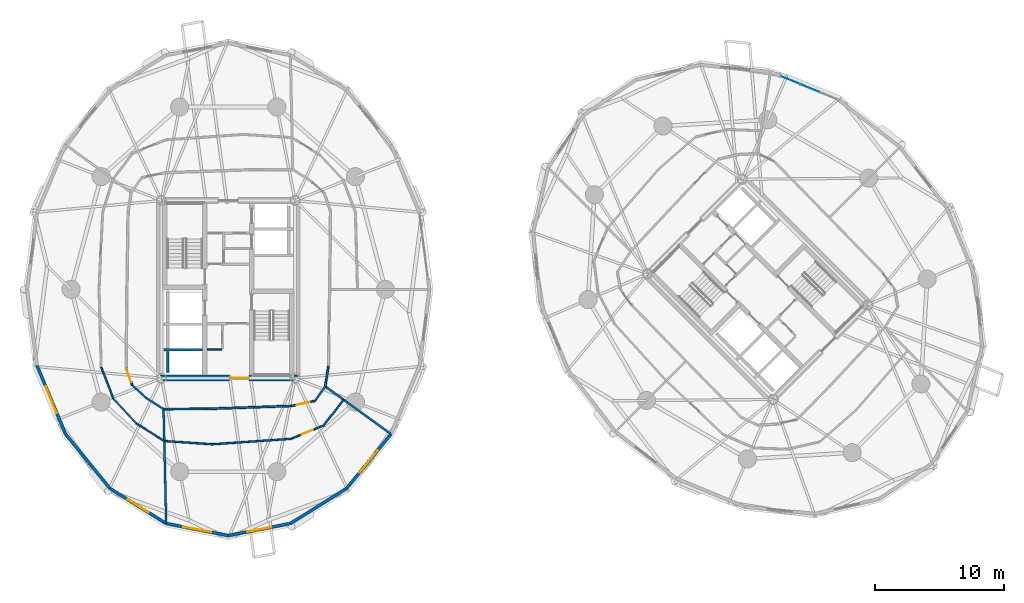
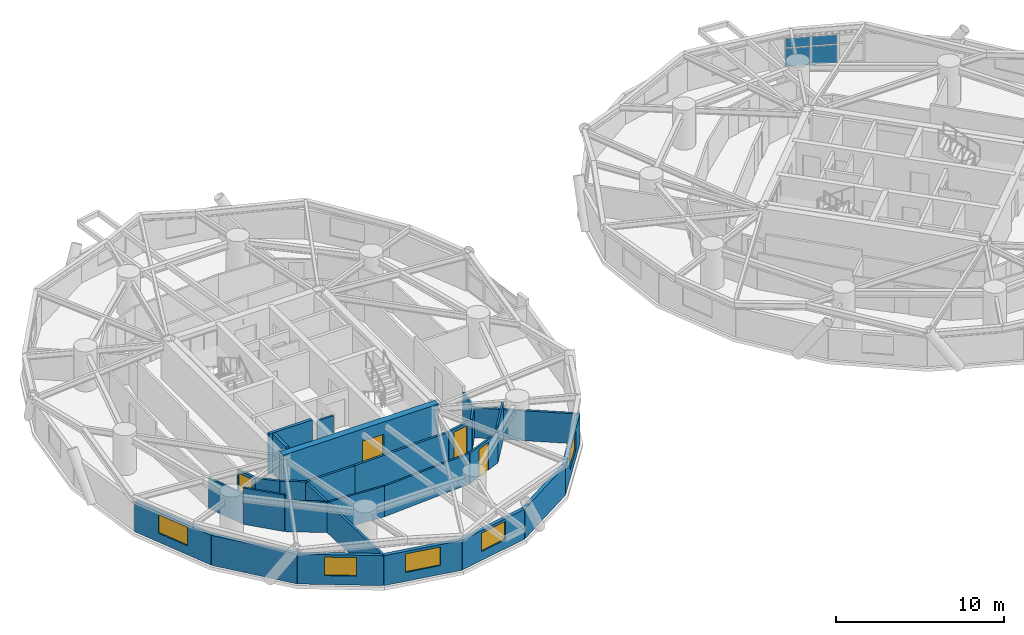
# One storey, part 9 of 17: 28 walls, 5 windows, 4 doors, 4 plates, 9 openings, 1 element without a shape of its own.
"""IFC4 building model written with IfcOpenShell, lengths in metres."""

from ifc_helpers import new_model, si_unit, direction, frame, frame_2d, origin, origin_2d, place, context, subcontext, project, spatial, rectangle, extrude, source, transform, mapped, material, layer, layer_set, type_object, element, fill, aggregate, save


model = new_model("IFC4")

# Units and contexts
model_context = context("Model", 3, precision=1e-05, world=origin(), true_north=direction((0.0, 1.0)))
body_context = subcontext(model_context, "Body", "Model", "MODEL_VIEW")
ifc_project = project(units=[si_unit("LENGTHUNIT", "METRE"), si_unit("AREAUNIT", "SQUARE_METRE"), si_unit("VOLUMEUNIT", "CUBIC_METRE"), si_unit("PLANEANGLEUNIT", "RADIAN"), si_unit("MASSUNIT", "GRAM", prefix="KILO")], contexts=[model_context])

# Site, building, storey
site_placement = place(None, origin())
site = spatial("IfcSite", under=ifc_project, at=site_placement, CompositionType="ELEMENT")
building_placement = place(site_placement, origin())
building = spatial("IfcBuilding", under=site, at=building_placement, Name="Cununo Teusaquillo Station Towers", CompositionType="ELEMENT")
storey_placement = place(building_placement, frame((0.0, 0.0, 90.52001953125)))
storey = spatial("IfcBuildingStorey", under=building, at=storey_placement, Name="L28", CompositionType="ELEMENT", Elevation=90.52001953125)

# Curtain wall, plates
ifc_material_1 = material(Name="Ceramic-fritted dark low-E double glazing", Category="glass")
ifc_layer_1 = layer(ifc_material_1, 0.179931640625)
ifc_layer_set_1 = layer_set([ifc_layer_1], Name="Ceramic-fritted dark low-E double glazing")
curtain_wall_type = type_object("IfcCurtainWallType", Name="CW-SYS-04", PredefinedType="USERDEFINED", material=ifc_layer_set_1)
curtain_wall_placement = place(storey_placement, origin())
curtain_wall = element("IfcCurtainWall", 1, at=curtain_wall_placement, inside=storey, type_object=curtain_wall_type, Name="L28 Tower B Facade Curtain Wall C01", ObjectType="FRITTED GLAZING", PredefinedType="USERDEFINED")
ifc_material_2 = material(Name="Ceramic-fritted dark low-E double glazing", Category="glass")
ifc_layer_2 = layer(ifc_material_2, 0.028076171875)
ifc_layer_set_2 = layer_set([ifc_layer_2], Name="Ceramic-fritted dark low-E double glazing")
plate_type = type_object("IfcPlateType", Name="CWP-FRIT-28", PredefinedType="CURTAIN_PANEL", material=ifc_layer_set_2)
shared_shape_1 = source(origin(), body_context, "Body", "SweptSolid", [
    extrude(rectangle(XDim=1.531005859375, YDim=0.028076171875, at=origin_2d()), origin(), (0.0, 0.0, 1.0), 1.31103515625),
])
plate_1_placement = place(storey_placement, frame((60.045654296875, 40.697021484375, 0.070068359375), z_axis=(0.0, 0.0, 1.0), x_axis=(0.924562443652, -0.381030560176, 0.0)))
plate_1 = element("IfcPlate", 2, at=plate_1_placement, type_object=plate_type, Name="CW-04 panel 1.1", PredefinedType="CURTAIN_PANEL", context=body_context, shape_type="MappedRepresentation", body=[
    mapped(shared_shape_1, transform((0.0, 0.0, 0.0), x_axis=(1.0, 0.0, 0.0), y_axis=(0.0, 1.0, 0.0), z_axis=(0.0, 0.0, 1.0), scale=1.0)),
])
shared_shape_2 = source(origin(), body_context, "Body", "SweptSolid", [
    extrude(rectangle(XDim=1.531005859375, YDim=0.028076171875, at=origin_2d()), origin(), (0.0, 0.0, 1.0), 0.657958984375),
])
plate_2_placement = place(storey_placement, frame((60.045654296875, 40.697021484375, 1.451171875), z_axis=(0.0, 0.0, 1.0), x_axis=(0.924562443652, -0.381030560176, 0.0)))
plate_2 = element("IfcPlate", 3, at=plate_2_placement, type_object=plate_type, Name="CW-04 panel 1.2", PredefinedType="CURTAIN_PANEL", context=body_context, shape_type="MappedRepresentation", body=[
    mapped(shared_shape_2, transform((0.0, 0.0, 0.0), x_axis=(1.0, 0.0, 0.0), y_axis=(0.0, 1.0, 0.0), z_axis=(0.0, 0.0, 1.0), scale=1.0)),
])
shared_shape_3 = source(origin(), body_context, "Body", "SweptSolid", [
    extrude(rectangle(XDim=1.566162109375, YDim=0.028076171875, at=origin_2d()), origin(), (0.0, 0.0, 1.0), 1.31103515625),
])
plate_3_placement = place(storey_placement, frame((61.542236328125, 40.080322265625, 0.070068359375), z_axis=(0.0, 0.0, 1.0), x_axis=(0.924562443652, -0.381030560176, 0.0)))
plate_3 = element("IfcPlate", 4, at=plate_3_placement, type_object=plate_type, Name="CW-04 panel 2.1", PredefinedType="CURTAIN_PANEL", context=body_context, shape_type="MappedRepresentation", body=[
    mapped(shared_shape_3, transform((0.0, 0.0, 0.0), x_axis=(1.0, 0.0, 0.0), y_axis=(0.0, 1.0, 0.0), z_axis=(0.0, 0.0, 1.0), scale=1.0)),
])
shared_shape_4 = source(origin(), body_context, "Body", "SweptSolid", [
    extrude(rectangle(XDim=1.566162109375, YDim=0.028076171875, at=origin_2d()), origin(), (0.0, 0.0, 1.0), 0.657958984375),
])
plate_4_placement = place(storey_placement, frame((61.542236328125, 40.080322265625, 1.451171875), z_axis=(0.0, 0.0, 1.0), x_axis=(0.924562443652, -0.381030560176, 0.0)))
plate_4 = element("IfcPlate", 5, at=plate_4_placement, type_object=plate_type, Name="CW-04 panel 2.2", PredefinedType="CURTAIN_PANEL", context=body_context, shape_type="MappedRepresentation", body=[
    mapped(shared_shape_4, transform((0.0, 0.0, 0.0), x_axis=(1.0, 0.0, 0.0), y_axis=(0.0, 1.0, 0.0), z_axis=(0.0, 0.0, 1.0), scale=1.0)),
])
aggregate(curtain_wall, [plate_1, plate_2, plate_3, plate_4])

# Walls
ifc_material_3 = material(Name="Concrete C50/60", Category="concrete")
ifc_layer_3 = layer(ifc_material_3, 0.199951171875)
ifc_layer_set_3 = layer_set([ifc_layer_3], Name="Concrete C50/60")
wall_type_1 = type_object("IfcWallType", Name="WL-CORE-200", PredefinedType="SHEAR", material=ifc_layer_set_3)
wall_1_placement = place(storey_placement, frame((11.52001953125, 19.824951171875, 0.0), z_axis=(0.0, 0.0, 1.0), x_axis=(1.0, 0.0, 0.0)))
element("IfcWall", 6, at=wall_1_placement, inside=storey, type_object=wall_type_1, Name="L28 Tower A High-Rise Lift Hoistway Divider Shear Wall", PredefinedType="SHEAR", context=body_context, shape_type="SweptSolid", body=[
    extrude(rectangle(XDim=2.969970703125, YDim=0.199951171875, at=frame_2d((1.48486328125, 0.0))), origin(), (0.0, 0.0, 1.0), 2.909912109375),
])
wall_2_placement = place(storey_placement, frame((11.820068359375, 18.070068359375, 0.0), z_axis=(0.0, 0.0, 1.0), x_axis=(0.0, 1.0, 0.0)))
element("IfcWall", 7, at=wall_2_placement, inside=storey, type_object=wall_type_1, Name="L28 Tower A High-Rise Lift 1 Shaft Rear Shear Wall", PredefinedType="SHEAR", context=body_context, shape_type="SweptSolid", body=[
    extrude(rectangle(XDim=1.635009765625, YDim=0.199951171875, at=frame_2d((0.8173828125, 0.0))), origin(), (0.0, 0.0, 1.0), 2.909912109375),
])

# Wall, opening, door
ifc_material_4 = material(Name="Concrete C60/75", Category="concrete")
ifc_layer_4 = layer(ifc_material_4, 0.449951171875)
ifc_layer_set_4 = layer_set([ifc_layer_4], Name="Concrete C60/75")
wall_type_2 = type_object("IfcWallType", Name="WL-CORE-450", PredefinedType="SHEAR", material=ifc_layer_set_4)
wall_3_placement = place(storey_placement, frame((11.14990234375, 17.625, 0.0), z_axis=(0.0, 0.0, 1.0), x_axis=(1.0, 0.0, 0.0)))
wall_3 = element("IfcWall", 8, at=wall_3_placement, inside=storey, type_object=wall_type_2, Name="L28 Tower A Core Shear Wall S", PredefinedType="SHEAR", context=body_context, shape_type="SweptSolid", body=[
    extrude(rectangle(XDim=10.7001953125, YDim=0.449951171875, at=frame_2d((5.35009765625, 0.0))), origin(), (0.0, 0.0, 1.0), 2.909912109375),
])
shared_shape_5 = source(origin(), body_context, "Body", "SweptSolid", [
    extrude(rectangle(XDim=1.5, YDim=2.02001953125, at=frame_2d((0.75, 1.010009765625))), frame((0.0, 0.23486328125, 0.0), z_axis=(0.0, -1.0, 0.0), x_axis=(1.0, 0.0, 0.0)), (0.0, 0.0, 1.0), 0.469970703125),
])
opening_1_placement = place(wall_3_placement, frame((5.449951171875, 0.0, 0.0)))
opening_1 = element("IfcOpeningElement", 9, at=opening_1_placement, cuts=wall_3, Name="Opening D-LB1", PredefinedType="OPENING", context=body_context, shape_type="MappedRepresentation", body=[
    mapped(shared_shape_5, transform((0.0, 0.0, 0.0), x_axis=(1.0, 0.0, 0.0), y_axis=(0.0, 1.0, 0.0), z_axis=(0.0, 0.0, 1.0), scale=1.0)),
])
ifc_material_5 = material(Name="Galvanised fire-rated hollow steel door assembly", Category="steel")
door_type_1 = type_object("IfcDoorType", Name="DR-LOBBY-1500", OperationType="DOUBLE_DOOR_SINGLE_SWING", PredefinedType="DOOR", material=ifc_material_5)
shared_shape_6 = source(origin(), body_context, "Body", "SweptSolid", [
    extrude(rectangle(XDim=1.5, YDim=2.02001953125, at=frame_2d((0.75, 1.010009765625))), frame((0.0, 0.02490234375, 0.0), z_axis=(0.0, -1.0, 0.0), x_axis=(1.0, 0.0, 0.0)), (0.0, 0.0, 1.0), 0.050048828125),
])
door_1_placement = place(opening_1_placement, origin())
door_1 = element("IfcDoor", 10, at=door_1_placement, inside=storey, type_object=door_type_1, Name="L28 Tower A South Core Lift Lobby Door", OperationType="DOUBLE_DOOR_SINGLE_SWING", OverallHeight=2.02001953125, OverallWidth=1.5, PredefinedType="DOOR", context=body_context, shape_type="MappedRepresentation", body=[
    mapped(shared_shape_6, transform((0.0, 0.0, 0.0), x_axis=(1.0, 0.0, 0.0), y_axis=(0.0, 1.0, 0.0), z_axis=(0.0, 0.0, 1.0), scale=1.0)),
])
fill(opening_1, door_1)

# Wall, opening, window
ifc_material_6 = material(Name="Precast concrete C40/50", Category="concrete")
ifc_layer_5 = layer(ifc_material_6, 0.239990234375)
ifc_layer_set_5 = layer_set([ifc_layer_5], Name="Precast concrete C40/50")
wall_type_3 = type_object("IfcWallType", Name="WL-EXT-240", PredefinedType="SOLIDWALL", material=ifc_layer_set_5)
wall_4_placement = place(storey_placement, frame((3.894775390625, 13.291015625, 0.0), z_axis=(0.0, 0.0, 1.0), x_axis=(-0.384344417632, 0.923189779317, 0.0)))
wall_4 = element("IfcWall", 11, at=wall_4_placement, inside=storey, type_object=wall_type_3, Name="L28 Tower A Exterior Facade Wall C11", PredefinedType="SOLIDWALL", context=body_context, shape_type="SweptSolid", body=[
    extrude(rectangle(XDim=5.75830078125, YDim=0.239990234375, at=frame_2d((2.879150390625, 0.0))), origin(), (0.0, 0.0, 1.0), 2.178955078125),
])
shared_shape_7 = source(origin(), body_context, "Body", "SweptSolid", [
    extrude(rectangle(XDim=2.199951171875, YDim=1.35009765625, at=frame_2d((1.10009765625, 0.675048828125))), frame((0.0, 0.1298828125, 0.0), z_axis=(0.0, -1.0, 0.0), x_axis=(1.0, 0.0, 0.0)), (0.0, 0.0, 1.0), 0.260009765625),
])
opening_2_placement = place(wall_4_placement, frame((1.779052734375, 0.0, 0.64990234375)))
opening_2 = element("IfcOpeningElement", 12, at=opening_2_placement, cuts=wall_4, Name="Opening WN-01", PredefinedType="OPENING", context=body_context, shape_type="MappedRepresentation", body=[
    mapped(shared_shape_7, transform((0.0, 0.0, 0.0), x_axis=(1.0, 0.0, 0.0), y_axis=(0.0, 1.0, 0.0), z_axis=(0.0, 0.0, 1.0), scale=1.0)),
])
ifc_material_7 = material(Name="Ceramic-fritted dark low-E double glazing", Category="glass")
window_type_1 = type_object("IfcWindowType", Name="WIN-FRIT-2200", PartitioningType="DOUBLE_PANEL_VERTICAL", PredefinedType="WINDOW", material=ifc_material_7)
shared_shape_8 = source(origin(), body_context, "Body", "SweptSolid", [
    extrude(rectangle(XDim=2.199951171875, YDim=1.35009765625, at=frame_2d((1.10009765625, 0.675048828125))), frame((0.0, 0.030029296875, 0.0), z_axis=(0.0, -1.0, 0.0), x_axis=(1.0, 0.0, 0.0)), (0.0, 0.0, 1.0), 0.06005859375),
])
window_1_placement = place(opening_2_placement, origin())
window_1 = element("IfcWindow", 13, at=window_1_placement, inside=storey, type_object=window_type_1, Name="L28 Tower A Facade Window C11", OverallHeight=1.35009765625, OverallWidth=2.199951171875, PartitioningType="DOUBLE_PANEL_VERTICAL", PredefinedType="WINDOW", context=body_context, shape_type="MappedRepresentation", body=[
    mapped(shared_shape_8, transform((0.0, 0.0, 0.0), x_axis=(1.0, 0.0, 0.0), y_axis=(0.0, 1.0, 0.0), z_axis=(0.0, 0.0, 1.0), scale=1.0)),
])
fill(opening_2, window_1)

# Wall
wall_5_placement = place(storey_placement, frame((7.341796875, 9.072021484375, 0.0), z_axis=(0.0, 0.0, 1.0), x_axis=(-0.632700781152, 0.77439635945, 0.0)))
element("IfcWall", 14, at=wall_5_placement, inside=storey, type_object=wall_type_3, Name="L28 Tower A Exterior Facade Wall C12", PredefinedType="SOLIDWALL", context=body_context, shape_type="SweptSolid", body=[
    extrude(rectangle(XDim=5.447998046875, YDim=0.239990234375, at=frame_2d((2.72412109375, 0.0))), origin(), (0.0, 0.0, 1.0), 2.178955078125),
])

# Wall, opening, window
wall_6_placement = place(storey_placement, frame((11.685302734375, 6.36328125, 0.0), z_axis=(0.0, 0.0, 1.0), x_axis=(-0.848520380187, 0.529162701263, 0.0)))
wall_6 = element("IfcWall", 15, at=wall_6_placement, inside=storey, type_object=wall_type_3, Name="L28 Tower A Exterior Facade Wall C13", PredefinedType="SOLIDWALL", context=body_context, shape_type="SweptSolid", body=[
    extrude(rectangle(XDim=5.118896484375, YDim=0.239990234375, at=frame_2d((2.5595703125, 0.0))), origin(), (0.0, 0.0, 1.0), 2.178955078125),
])
shared_shape_9 = source(origin(), body_context, "Body", "SweptSolid", [
    extrude(rectangle(XDim=1.89990234375, YDim=1.35009765625, at=frame_2d((0.949951171875, 0.675048828125))), frame((0.0, 0.1298828125, 0.0), z_axis=(0.0, -1.0, 0.0), x_axis=(1.0, 0.0, 0.0)), (0.0, 0.0, 1.0), 0.260009765625),
])
opening_3_placement = place(wall_6_placement, frame((1.60888671875, 0.0, 0.64990234375)))
opening_3 = element("IfcOpeningElement", 16, at=opening_3_placement, cuts=wall_6, Name="Opening WN-02", PredefinedType="OPENING", context=body_context, shape_type="MappedRepresentation", body=[
    mapped(shared_shape_9, transform((0.0, 0.0, 0.0), x_axis=(1.0, 0.0, 0.0), y_axis=(0.0, 1.0, 0.0), z_axis=(0.0, 0.0, 1.0), scale=1.0)),
])
ifc_material_8 = material(Name="Operable acoustic tinted low-E double glazing", Category="glass")
window_type_2 = type_object("IfcWindowType", Name="WIN-OPER-1900", PartitioningType="DOUBLE_PANEL_VERTICAL", PredefinedType="WINDOW", material=ifc_material_8)
shared_shape_10 = source(origin(), body_context, "Body", "SweptSolid", [
    extrude(rectangle(XDim=1.89990234375, YDim=1.35009765625, at=frame_2d((0.949951171875, 0.675048828125))), frame((0.0, 0.030029296875, 0.0), z_axis=(0.0, -1.0, 0.0), x_axis=(1.0, 0.0, 0.0)), (0.0, 0.0, 1.0), 0.06005859375),
])
window_2_placement = place(opening_3_placement, origin())
window_2 = element("IfcWindow", 17, at=window_2_placement, inside=storey, type_object=window_type_2, Name="L28 Tower A Facade Window C13", OverallHeight=1.35009765625, OverallWidth=1.89990234375, PartitioningType="DOUBLE_PANEL_VERTICAL", PredefinedType="WINDOW", context=body_context, shape_type="MappedRepresentation", body=[
    mapped(shared_shape_10, transform((0.0, 0.0, 0.0), x_axis=(1.0, 0.0, 0.0), y_axis=(0.0, 1.0, 0.0), z_axis=(0.0, 0.0, 1.0), scale=1.0)),
])
fill(opening_3, window_2)

wall_7_placement = place(storey_placement, frame((16.5, 5.429931640625, 0.0), z_axis=(0.0, 0.0, 1.0), x_axis=(-0.981723785992, 0.190311344954, 0.0)))
wall_7 = element("IfcWall", 18, at=wall_7_placement, inside=storey, type_object=wall_type_3, Name="L28 Tower A Exterior Facade Wall C14", PredefinedType="SOLIDWALL", context=body_context, shape_type="SweptSolid", body=[
    extrude(rectangle(XDim=4.904296875, YDim=0.239990234375, at=frame_2d((2.4521484375, 0.0))), origin(), (0.0, 0.0, 1.0), 2.178955078125),
])
opening_4_placement = place(wall_7_placement, frame((1.35205078125, 0.0, 0.64990234375)))
opening_4 = element("IfcOpeningElement", 19, at=opening_4_placement, cuts=wall_7, Name="Opening WN-01", PredefinedType="OPENING", context=body_context, shape_type="MappedRepresentation", body=[
    mapped(shared_shape_7, transform((0.0, 0.0, 0.0), x_axis=(1.0, 0.0, 0.0), y_axis=(0.0, 1.0, 0.0), z_axis=(0.0, 0.0, 1.0), scale=1.0)),
])
window_3_placement = place(opening_4_placement, origin())
window_3 = element("IfcWindow", 20, at=window_3_placement, inside=storey, type_object=window_type_1, Name="L28 Tower A Facade Window C14", OverallHeight=1.35009765625, OverallWidth=2.199951171875, PartitioningType="DOUBLE_PANEL_VERTICAL", PredefinedType="WINDOW", context=body_context, shape_type="MappedRepresentation", body=[
    mapped(shared_shape_8, transform((0.0, 0.0, 0.0), x_axis=(1.0, 0.0, 0.0), y_axis=(0.0, 1.0, 0.0), z_axis=(0.0, 0.0, 1.0), scale=1.0)),
])
fill(opening_4, window_3)

wall_8_placement = place(storey_placement, frame((21.314697265625, 6.36328125, 0.0), z_axis=(0.0, 0.0, 1.0), x_axis=(-0.981723785992, -0.190311344954, 0.0)))
wall_8 = element("IfcWall", 21, at=wall_8_placement, inside=storey, type_object=wall_type_3, Name="L28 Tower A Exterior Facade Wall C15", PredefinedType="SOLIDWALL", context=body_context, shape_type="SweptSolid", body=[
    extrude(rectangle(XDim=4.904296875, YDim=0.239990234375, at=frame_2d((2.4521484375, 0.0))), origin(), (0.0, 0.0, 1.0), 2.178955078125),
])
opening_5_placement = place(wall_8_placement, frame((1.501953125, 0.0, 0.64990234375)))
opening_5 = element("IfcOpeningElement", 22, at=opening_5_placement, cuts=wall_8, Name="Opening WN-02", PredefinedType="OPENING", context=body_context, shape_type="MappedRepresentation", body=[
    mapped(shared_shape_9, transform((0.0, 0.0, 0.0), x_axis=(1.0, 0.0, 0.0), y_axis=(0.0, 1.0, 0.0), z_axis=(0.0, 0.0, 1.0), scale=1.0)),
])
window_4_placement = place(opening_5_placement, origin())
window_4 = element("IfcWindow", 23, at=window_4_placement, inside=storey, type_object=window_type_2, Name="L28 Tower A Facade Window C15", OverallHeight=1.35009765625, OverallWidth=1.89990234375, PartitioningType="DOUBLE_PANEL_VERTICAL", PredefinedType="WINDOW", context=body_context, shape_type="MappedRepresentation", body=[
    mapped(shared_shape_10, transform((0.0, 0.0, 0.0), x_axis=(1.0, 0.0, 0.0), y_axis=(0.0, 1.0, 0.0), z_axis=(0.0, 0.0, 1.0), scale=1.0)),
])
fill(opening_5, window_4)

# Wall
wall_9_placement = place(storey_placement, frame((25.658203125, 9.072021484375, 0.0), z_axis=(0.0, 0.0, 1.0), x_axis=(-0.848520380187, -0.529162701263, 0.0)))
element("IfcWall", 24, at=wall_9_placement, inside=storey, type_object=wall_type_3, Name="L28 Tower A Exterior Facade Wall C16", PredefinedType="SOLIDWALL", context=body_context, shape_type="SweptSolid", body=[
    extrude(rectangle(XDim=5.118896484375, YDim=0.239990234375, at=frame_2d((2.5595703125, 0.0))), origin(), (0.0, 0.0, 1.0), 2.178955078125),
])

# Wall, opening, window
wall_10_placement = place(storey_placement, frame((29.105224609375, 13.291015625, 0.0), z_axis=(0.0, 0.0, 1.0), x_axis=(-0.632700781152, -0.77439635945, 0.0)))
wall_10 = element("IfcWall", 25, at=wall_10_placement, inside=storey, type_object=wall_type_3, Name="L28 Tower A Exterior Facade Wall C17", PredefinedType="SOLIDWALL", context=body_context, shape_type="SweptSolid", body=[
    extrude(rectangle(XDim=5.447998046875, YDim=0.239990234375, at=frame_2d((2.72412109375, 0.0))), origin(), (0.0, 0.0, 1.0), 2.178955078125),
])
opening_6_placement = place(wall_10_placement, frame((1.6240234375, 0.0, 0.64990234375)))
opening_6 = element("IfcOpeningElement", 26, at=opening_6_placement, cuts=wall_10, Name="Opening WN-01", PredefinedType="OPENING", context=body_context, shape_type="MappedRepresentation", body=[
    mapped(shared_shape_7, transform((0.0, 0.0, 0.0), x_axis=(1.0, 0.0, 0.0), y_axis=(0.0, 1.0, 0.0), z_axis=(0.0, 0.0, 1.0), scale=1.0)),
])
window_5_placement = place(opening_6_placement, origin())
window_5 = element("IfcWindow", 27, at=window_5_placement, inside=storey, type_object=window_type_1, Name="L28 Tower A Facade Window C17", OverallHeight=1.35009765625, OverallWidth=2.199951171875, PartitioningType="DOUBLE_PANEL_VERTICAL", PredefinedType="WINDOW", context=body_context, shape_type="MappedRepresentation", body=[
    mapped(shared_shape_8, transform((0.0, 0.0, 0.0), x_axis=(1.0, 0.0, 0.0), y_axis=(0.0, 1.0, 0.0), z_axis=(0.0, 0.0, 1.0), scale=1.0)),
])
fill(opening_6, window_5)

# Walls
ifc_material_9 = material(Name="Fire-rated gypsum plasterboard partition assembly", Category="gypsum")
ifc_layer_6 = layer(ifc_material_9, 0.125)
ifc_layer_set_6 = layer_set([ifc_layer_6], Name="Fire-rated gypsum plasterboard partition assembly")
wall_type_4 = type_object("IfcWallType", Name="WL-PART-125", PredefinedType="PARTITIONING", material=ifc_layer_set_6)
wall_11_placement = place(storey_placement, frame((14.8798828125, 19.85009765625, 0.0), z_axis=(0.0, 0.0, 1.0), x_axis=(1.0, 0.0, 0.0)))
element("IfcWall", 28, at=wall_11_placement, inside=storey, type_object=wall_type_4, Name="L28 Tower A North-West Lobby Store South Wall", PredefinedType="PARTITIONING", context=body_context, shape_type="SweptSolid", body=[
    extrude(rectangle(XDim=1.10009765625, YDim=0.125, at=frame_2d((0.550048828125, 0.0))), origin(), (0.0, 0.0, 1.0), 2.655029296875),
])
wall_12_placement = place(storey_placement, frame((6.658935546875, 18.462158203125, 0.0), z_axis=(0.0, 0.0, 1.0), x_axis=(0.364644852064, -0.931146675805, 0.0)))
element("IfcWall", 29, at=wall_12_placement, inside=storey, type_object=wall_type_4, Name="L28 Tower A Client Demo Briefing Gallery Concentric Partition Wall C11", PredefinedType="PARTITIONING", context=body_context, shape_type="SweptSolid", body=[
    extrude(rectangle(XDim=2.62451171875, YDim=0.125, at=frame_2d((1.312255859375, 0.0))), origin(), (0.0, 0.0, 1.0), 2.22509765625),
])
wall_13_placement = place(storey_placement, frame((7.615966796875, 16.018310546875, 0.0), z_axis=(0.0, 0.0, 1.0), x_axis=(0.67871125453, -0.734405223956, 0.0)))
element("IfcWall", 30, at=wall_13_placement, inside=storey, type_object=wall_type_4, Name="L28 Tower A Client Demo Briefing Gallery Concentric Partition Wall C12", PredefinedType="PARTITIONING", context=body_context, shape_type="SweptSolid", body=[
    extrude(rectangle(XDim=2.58642578125, YDim=0.125, at=frame_2d((1.293212890625, 0.0))), origin(), (0.0, 0.0, 1.0), 2.655029296875),
])
wall_14_placement = place(storey_placement, frame((9.371337890625, 14.118896484375, 0.0), z_axis=(0.0, 0.0, 1.0), x_axis=(0.846446940893, -0.532473075613, 0.0)))
element("IfcWall", 31, at=wall_14_placement, inside=storey, type_object=wall_type_4, Name="L28 Tower A Client Demo Briefing Gallery Concentric Partition Wall C13", PredefinedType="PARTITIONING", context=body_context, shape_type="SweptSolid", body=[
    extrude(rectangle(XDim=2.56982421875, YDim=0.125, at=frame_2d((1.284912109375, 0.0))), origin(), (0.0, 0.0, 1.0), 2.22509765625),
])
wall_15_placement = place(storey_placement, frame((11.546630859375, 12.75048828125, 0.0), z_axis=(0.0, 0.0, 1.0), x_axis=(0.997731575096, -0.067317932645, 0.0)))
element("IfcWall", 32, at=wall_15_placement, inside=storey, type_object=wall_type_4, Name="L28 Tower A Staff Espresso & Pantry Lounge Concentric Partition Wall C14", PredefinedType="PARTITIONING", context=body_context, shape_type="SweptSolid", body=[
    extrude(rectangle(XDim=3.73193359375, YDim=0.125, at=frame_2d((1.865966796875, 0.0))), origin(), (0.0, 0.0, 1.0), 2.22509765625),
])
wall_16_placement = place(storey_placement, frame((15.27001953125, 12.499267578125, 0.0), z_axis=(0.0, 0.0, 1.0), x_axis=(0.997586055533, 0.069441067147, 0.0)))
element("IfcWall", 33, at=wall_16_placement, inside=storey, type_object=wall_type_4, Name="L28 Tower A Staff Espresso & Pantry Lounge Concentric Partition Wall C15", PredefinedType="PARTITIONING", context=body_context, shape_type="SweptSolid", body=[
    extrude(rectangle(XDim=6.1103515625, YDim=0.125, at=frame_2d((3.05517578125, 0.0))), origin(), (0.0, 0.0, 1.0), 2.22509765625),
])

# Wall, opening, door
wall_17_placement = place(storey_placement, frame((21.36572265625, 12.923583984375, 0.0), z_axis=(0.0, 0.0, 1.0), x_axis=(0.924996898971, 0.379974652962, 0.0)))
wall_17 = element("IfcWall", 34, at=wall_17_placement, inside=storey, type_object=wall_type_4, Name="L28 Tower A Staff Espresso & Pantry Lounge Concentric Partition Wall C16", PredefinedType="PARTITIONING", context=body_context, shape_type="SweptSolid", body=[
    extrude(rectangle(XDim=2.740966796875, YDim=0.125, at=frame_2d((1.37060546875, 0.0))), origin(), (0.0, 0.0, 1.0), 2.22509765625),
])
shared_shape_11 = source(origin(), body_context, "Body", "SweptSolid", [
    extrude(rectangle(XDim=0.89990234375, YDim=2.0048828125, at=frame_2d((0.449951171875, 1.00244140625))), frame((0.0, 0.072509765625, 0.0), z_axis=(0.0, -1.0, 0.0), x_axis=(1.0, 0.0, 0.0)), (0.0, 0.0, 1.0), 0.14501953125),
])
opening_7_placement = place(wall_17_placement, frame((0.92041015625, 0.0, 0.0)))
opening_7 = element("IfcOpeningElement", 35, at=opening_7_placement, cuts=wall_17, Name="Opening D-IN1", PredefinedType="OPENING", context=body_context, shape_type="MappedRepresentation", body=[
    mapped(shared_shape_11, transform((0.0, 0.0, 0.0), x_axis=(1.0, 0.0, 0.0), y_axis=(0.0, 1.0, 0.0), z_axis=(0.0, 0.0, 1.0), scale=1.0)),
])
ifc_material_10 = material(Name="Acoustic solid-core hardwood leaf assembly", Category="wood")
door_type_2 = type_object("IfcDoorType", Name="DR-INT-900", OperationType="NOTDEFINED", PredefinedType="DOOR", material=ifc_material_10)
shared_shape_12 = source(origin(), body_context, "Body", "SweptSolid", [
    extrude(rectangle(XDim=0.89990234375, YDim=2.0048828125, at=frame_2d((0.449951171875, 1.00244140625))), frame((0.0, 0.02490234375, 0.0), z_axis=(0.0, -1.0, 0.0), x_axis=(1.0, 0.0, 0.0)), (0.0, 0.0, 1.0), 0.050048828125),
])
door_2_placement = place(opening_7_placement, origin())
door_2 = element("IfcDoor", 36, at=door_2_placement, inside=storey, type_object=door_type_2, Name="L28 Tower A Staff Espresso & Pantry Lounge Connecting Door", OperationType="SINGLE_SWING_RIGHT", OverallHeight=2.0048828125, OverallWidth=0.89990234375, PredefinedType="DOOR", context=body_context, shape_type="MappedRepresentation", body=[
    mapped(shared_shape_12, transform((0.0, 0.0, 0.0), x_axis=(1.0, 0.0, 0.0), y_axis=(0.0, 1.0, 0.0), z_axis=(0.0, 0.0, 1.0), scale=1.0)),
])
fill(opening_7, door_2)

# Wall
wall_18_placement = place(storey_placement, frame((23.901123046875, 13.965087890625, 0.0), z_axis=(0.0, 0.0, 1.0), x_axis=(0.609164923344, 0.793043565113, 0.0)))
element("IfcWall", 37, at=wall_18_placement, inside=storey, type_object=wall_type_4, Name="L28 Tower A Staff Espresso & Pantry Lounge Concentric Partition Wall C17", PredefinedType="PARTITIONING", context=body_context, shape_type="SweptSolid", body=[
    extrude(rectangle(XDim=2.508056640625, YDim=0.125, at=frame_2d((1.25390625, 0.0))), origin(), (0.0, 0.0, 1.0), 2.655029296875),
])

# Wall, opening, door
ifc_material_11 = material(Name="Fire-rated gypsum plasterboard partition assembly", Category="gypsum")
ifc_layer_7 = layer(ifc_material_11, 0.14990234375)
ifc_layer_set_7 = layer_set([ifc_layer_7], Name="Fire-rated gypsum plasterboard partition assembly")
wall_type_5 = type_object("IfcWallType", Name="WL-PART-150", PredefinedType="PARTITIONING", material=ifc_layer_set_7)
wall_19_placement = place(storey_placement, frame((8.58740234375, 18.4033203125, 0.0), z_axis=(0.0, 0.0, 1.0), x_axis=(0.333119120686, -0.942884749815, 0.0)))
wall_19 = element("IfcWall", 38, at=wall_19_placement, inside=storey, type_object=wall_type_5, Name="L28 Tower A Corridor Ring Wall C11", PredefinedType="PARTITIONING", context=body_context, shape_type="SweptSolid", body=[
    extrude(rectangle(XDim=1.409423828125, YDim=0.14990234375, at=frame_2d((0.70458984375, 0.0))), origin(), (0.0, 0.0, 1.0), 2.22509765625),
])
shared_shape_13 = source(origin(), body_context, "Body", "SweptSolid", [
    extrude(rectangle(XDim=1.050048828125, YDim=2.014892578125, at=frame_2d((0.52490234375, 1.00732421875))), frame((0.0, 0.0849609375, 0.0), z_axis=(0.0, -1.0, 0.0), x_axis=(1.0, 0.0, 0.0)), (0.0, 0.0, 1.0), 0.169921875),
])
opening_8_placement = place(wall_19_placement, frame((0.1201171875, 0.0, 0.0)))
opening_8 = element("IfcOpeningElement", 39, at=opening_8_placement, cuts=wall_19, Name="Opening D-SU1", PredefinedType="OPENING", context=body_context, shape_type="MappedRepresentation", body=[
    mapped(shared_shape_13, transform((0.0, 0.0, 0.0), x_axis=(1.0, 0.0, 0.0), y_axis=(0.0, 1.0, 0.0), z_axis=(0.0, 0.0, 1.0), scale=1.0)),
])
ifc_material_12 = material(Name="Acoustic solid-core hardwood leaf assembly", Category="wood")
door_type_3 = type_object("IfcDoorType", Name="DR-SUITE-1050", OperationType="NOTDEFINED", PredefinedType="DOOR", material=ifc_material_12)
shared_shape_14 = source(origin(), body_context, "Body", "SweptSolid", [
    extrude(rectangle(XDim=1.050048828125, YDim=2.014892578125, at=frame_2d((0.52490234375, 1.00732421875))), frame((0.0, 0.02490234375, 0.0), z_axis=(0.0, -1.0, 0.0), x_axis=(1.0, 0.0, 0.0)), (0.0, 0.0, 1.0), 0.050048828125),
])
door_3_placement = place(opening_8_placement, origin())
door_3 = element("IfcDoor", 40, at=door_3_placement, inside=storey, type_object=door_type_3, Name="L28 Tower A Client Demo Briefing Gallery Entrance Door", OperationType="SINGLE_SWING_LEFT", OverallHeight=2.014892578125, OverallWidth=1.050048828125, PredefinedType="DOOR", context=body_context, shape_type="MappedRepresentation", body=[
    mapped(shared_shape_14, transform((0.0, 0.0, 0.0), x_axis=(1.0, 0.0, 0.0), y_axis=(0.0, 1.0, 0.0), z_axis=(0.0, 0.0, 1.0), scale=1.0)),
])
fill(opening_8, door_3)

# Walls
wall_20_placement = place(storey_placement, frame((9.056884765625, 17.074462890625, 0.0), z_axis=(0.0, 0.0, 1.0), x_axis=(0.739999571423, -0.672607340351, 0.0)))
element("IfcWall", 41, at=wall_20_placement, inside=storey, type_object=wall_type_5, Name="L28 Tower A Corridor Ring Wall C12", PredefinedType="PARTITIONING", context=body_context, shape_type="SweptSolid", body=[
    extrude(rectangle(XDim=1.4853515625, YDim=0.14990234375, at=frame_2d((0.74267578125, 0.0))), origin(), (0.0, 0.0, 1.0), 2.22509765625),
])
wall_21_placement = place(storey_placement, frame((10.156005859375, 16.075439453125, 0.0), z_axis=(0.0, 0.0, 1.0), x_axis=(0.843896624713, -0.536505812455, 0.0)))
element("IfcWall", 42, at=wall_21_placement, inside=storey, type_object=wall_type_5, Name="L28 Tower A Corridor Ring Wall C13", PredefinedType="PARTITIONING", context=body_context, shape_type="SweptSolid", body=[
    extrude(rectangle(XDim=1.581298828125, YDim=0.14990234375, at=frame_2d((0.79052734375, 0.0))), origin(), (0.0, 0.0, 1.0), 2.22509765625),
])
wall_22_placement = place(storey_placement, frame((11.490478515625, 15.22705078125, 0.0), z_axis=(0.0, 0.0, 1.0), x_axis=(0.999991728046, 0.004067411998, 0.0)))
element("IfcWall", 43, at=wall_22_placement, inside=storey, type_object=wall_type_5, Name="L28 Tower A Corridor Ring Wall C14", PredefinedType="PARTITIONING", context=body_context, shape_type="SweptSolid", body=[
    extrude(rectangle(XDim=3.30126953125, YDim=0.14990234375, at=frame_2d((1.650634765625, 0.0))), origin(), (0.0, 0.0, 1.0), 2.22509765625),
])
wall_23_placement = place(storey_placement, frame((14.791748046875, 15.240478515625, 0.0), z_axis=(0.0, 0.0, 1.0), x_axis=(0.999408106202, 0.034401122909, 0.0)))
element("IfcWall", 44, at=wall_23_placement, inside=storey, type_object=wall_type_5, Name="L28 Tower A Corridor Ring Wall C15", PredefinedType="PARTITIONING", context=body_context, shape_type="SweptSolid", body=[
    extrude(rectangle(XDim=6.60009765625, YDim=0.14990234375, at=frame_2d((3.300048828125, 0.0))), origin(), (0.0, 0.0, 1.0), 2.22509765625),
])

# Wall, opening, door
wall_24_placement = place(storey_placement, frame((21.387939453125, 15.467529296875, 0.0), z_axis=(0.0, 0.0, 1.0), x_axis=(0.977672748596, 0.210133283069, 0.0)))
wall_24 = element("IfcWall", 45, at=wall_24_placement, inside=storey, type_object=wall_type_5, Name="L28 Tower A Corridor Ring Wall C16", PredefinedType="PARTITIONING", context=body_context, shape_type="SweptSolid", body=[
    extrude(rectangle(XDim=1.87646484375, YDim=0.14990234375, at=frame_2d((0.938232421875, 0.0))), origin(), (0.0, 0.0, 1.0), 2.22509765625),
])
opening_9_placement = place(wall_24_placement, frame((0.4130859375, 0.0, 0.0)))
opening_9 = element("IfcOpeningElement", 46, at=opening_9_placement, cuts=wall_24, Name="Opening D-SU1", PredefinedType="OPENING", context=body_context, shape_type="MappedRepresentation", body=[
    mapped(shared_shape_13, transform((0.0, 0.0, 0.0), x_axis=(1.0, 0.0, 0.0), y_axis=(0.0, 1.0, 0.0), z_axis=(0.0, 0.0, 1.0), scale=1.0)),
])
door_4_placement = place(opening_9_placement, origin())
door_4 = element("IfcDoor", 47, at=door_4_placement, inside=storey, type_object=door_type_3, Name="L28 Tower A Staff Espresso & Pantry Lounge Entrance Door", OperationType="SINGLE_SWING_LEFT", OverallHeight=2.014892578125, OverallWidth=1.050048828125, PredefinedType="DOOR", context=body_context, shape_type="MappedRepresentation", body=[
    mapped(shared_shape_14, transform((0.0, 0.0, 0.0), x_axis=(1.0, 0.0, 0.0), y_axis=(0.0, 1.0, 0.0), z_axis=(0.0, 0.0, 1.0), scale=1.0)),
])
fill(opening_9, door_4)

# Walls
wall_25_placement = place(storey_placement, frame((23.222412109375, 15.86181640625, 0.0), z_axis=(0.0, 0.0, 1.0), x_axis=(0.571941738195, 0.820294244836, 0.0)))
element("IfcWall", 48, at=wall_25_placement, inside=storey, type_object=wall_type_5, Name="L28 Tower A Corridor Ring Wall C17", PredefinedType="PARTITIONING", context=body_context, shape_type="SweptSolid", body=[
    extrude(rectangle(XDim=1.369384765625, YDim=0.14990234375, at=frame_2d((0.6845703125, 0.0))), origin(), (0.0, 0.0, 1.0), 2.22509765625),
])
wall_26_placement = place(storey_placement, frame((24.005615234375, 16.985107421875, 0.0), z_axis=(0.0, 0.0, 1.0), x_axis=(0.162043475877, 0.986783619608, 0.0)))
element("IfcWall", 49, at=wall_26_placement, inside=storey, type_object=wall_type_5, Name="L28 Tower A Corridor Ring Wall C18", PredefinedType="PARTITIONING", context=body_context, shape_type="SweptSolid", body=[
    extrude(rectangle(XDim=1.596923828125, YDim=0.14990234375, at=frame_2d((0.79833984375, 0.0))), origin(), (0.0, 0.0, 1.0), 2.22509765625),
])
ifc_material_13 = material(Name="Fire-rated gypsum plasterboard partition assembly", Category="gypsum")
ifc_layer_8 = layer(ifc_material_13, 0.159912109375)
ifc_layer_set_8 = layer_set([ifc_layer_8], Name="Fire-rated gypsum plasterboard partition assembly")
wall_type_6 = type_object("IfcWallType", Name="WL-PART-160", PredefinedType="PARTITIONING", material=ifc_layer_set_8)
wall_27_placement = place(storey_placement, frame((11.490478515625, 15.22705078125, 0.0), z_axis=(0.0, 0.0, 1.0), x_axis=(0.022711375682, -0.999742063442, 0.0)))
element("IfcWall", 50, at=wall_27_placement, inside=storey, type_object=wall_type_6, Name="L28 Tower A Radial Suite Partition R04", PredefinedType="PARTITIONING", context=body_context, shape_type="SweptSolid", body=[
    extrude(rectangle(XDim=8.846923828125, YDim=0.159912109375, at=frame_2d((4.42333984375, 0.0))), origin(), (0.0, 0.0, 1.0), 2.178955078125),
])
wall_28_placement = place(storey_placement, frame((24.005615234375, 16.985107421875, 0.0), z_axis=(0.0, 0.0, 1.0), x_axis=(0.809849730791, -0.586637378231, 0.0)))
element("IfcWall", 51, at=wall_28_placement, inside=storey, type_object=wall_type_6, Name="L28 Tower A Radial Suite Partition R05", PredefinedType="PARTITIONING", context=body_context, shape_type="SweptSolid", body=[
    extrude(rectangle(XDim=6.277099609375, YDim=0.159912109375, at=frame_2d((3.138671875, 0.0))), origin(), (0.0, 0.0, 1.0), 2.178955078125),
])

save(model, "model.ifc")
